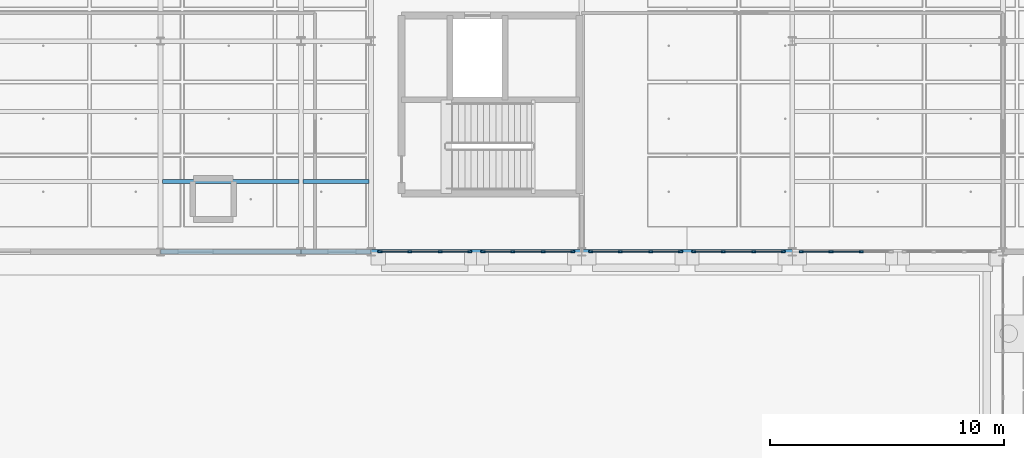
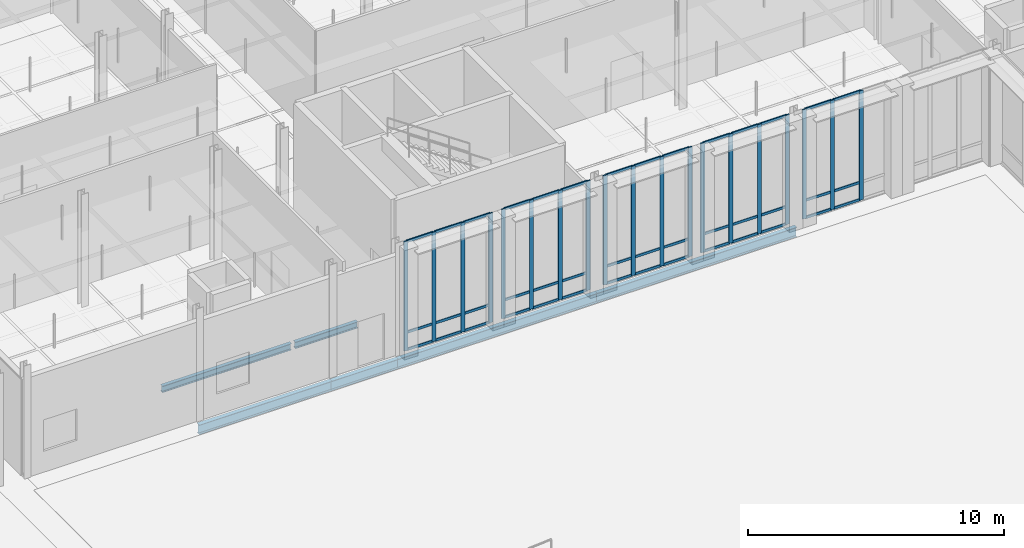
# One storey, part 54 of 180: 61 members, 6 beams, 5 elements without a shape of their own.
"""IFC4 building model written with IfcOpenShell, lengths in metres."""

import ifcopenshell
import ifcopenshell.guid

model = None  # the IFC model being written
_history = None  # IfcOwnerHistory: only IFC2X3 demands one
_inside = {}  # id of a spatial element -> (the spatial element, [elements in it])
_under = {}  # id of a project, library or spatial element -> (it, [spatial elements below it])
_declared = {}  # id of a project -> (the project, [libraries it declares])
_typed = {}  # id of a type object -> (the type object, [elements of that type])
_made_of = {}  # id of a material, layer set ... -> (it, [elements and type objects made of it])


def new_model(schema):
    """Start an empty IFC model of exactly this schema.

    Asked for "IFC4X3", IfcOpenShell would pick the latest addendum, in which some entities
    have other attributes; the version numbers below select the first issue.
    IFC2X3 requires an IfcOwnerHistory on every rooted entity: one is made here for all.
    """
    global model, _history
    if schema == "IFC4X3":
        model = ifcopenshell.file(schema_version=(4, 3, 0, 0))
    else:
        model = ifcopenshell.file(schema=schema)
    _inside.clear()
    _under.clear()
    _declared.clear()
    _typed.clear()
    _made_of.clear()
    _history = None
    if model.schema == "IFC2X3":
        org = make("IfcOrganization", Name="unknown")
        user = make(
            "IfcPersonAndOrganization",
            ThePerson=make("IfcPerson", FamilyName="unknown"),
            TheOrganization=org,
        )
        app = make(
            "IfcApplication",
            ApplicationDeveloper=org,
            Version="unknown",
            ApplicationFullName="unknown",
            ApplicationIdentifier="unknown",
        )
        _history = make(
            "IfcOwnerHistory",
            OwningUser=user,
            OwningApplication=app,
            ChangeAction="ADDED",
            CreationDate=0,
        )
    return model


def make(cls, **values):
    """One entity of the class cls with the attributes given. An attribute that is None is left unset."""
    return model.create_entity(
        cls, **{name: value for name, value in values.items() if value is not None}
    )


def rooted(cls, **values):
    """An entity with a GlobalId (a new one), such as an element, a storey or a relation."""
    return make(cls, GlobalId=ifcopenshell.guid.new(), OwnerHistory=_history, **values)


def si_unit(unit_type, name, prefix=None):
    """IfcSIUnit, for example si_unit("LENGTHUNIT", "METRE", prefix="MILLI")."""
    return make("IfcSIUnit", UnitType=unit_type, Prefix=prefix, Name=name)


def assignment(units):
    """IfcUnitAssignment: the units of a project."""
    return None if units is None else make("IfcUnitAssignment", Units=units)


def point(xyz):
    """IfcCartesianPoint."""
    return None if xyz is None else make("IfcCartesianPoint", Coordinates=xyz)


def direction(xyz):
    """IfcDirection."""
    return None if xyz is None else make("IfcDirection", DirectionRatios=xyz)


def frame(location, z_axis=None, x_axis=None):
    """IfcAxis2Placement3D, a coordinate frame: its origin and axes. An axis left out is left unset."""
    return make(
        "IfcAxis2Placement3D",
        Location=point(location),
        Axis=direction(z_axis),
        RefDirection=direction(x_axis),
    )


def frame_2d(location, x_axis=None):
    """IfcAxis2Placement2D, a coordinate frame in the plane: its origin and x axis."""
    return make(
        "IfcAxis2Placement2D", Location=point(location), RefDirection=direction(x_axis)
    )


def origin():
    """The frame at (0, 0, 0) with its axes left unset."""
    return frame((0.0, 0.0, 0.0))


def origin_2d():
    """The frame at (0, 0) in the plane with its x axis left unset."""
    return frame_2d((0.0, 0.0))


def place(relative_to, where):
    """IfcLocalPlacement: puts the frame where relative to a parent placement (None: the world)."""
    return make(
        "IfcLocalPlacement", PlacementRelTo=relative_to, RelativePlacement=where
    )


def context(
    kind, dimensions, precision=None, world=None, true_north=None, identifier=None
):
    """IfcGeometricRepresentationContext, for example the 3D "Model" context."""
    return make(
        "IfcGeometricRepresentationContext",
        ContextIdentifier=identifier,
        ContextType=kind,
        CoordinateSpaceDimension=dimensions,
        Precision=precision,
        WorldCoordinateSystem=world,
        TrueNorth=true_north,
    )


def subcontext(parent, identifier, kind, view, scale=None):
    """IfcGeometricRepresentationSubContext, for example "Body" below "Model"."""
    return make(
        "IfcGeometricRepresentationSubContext",
        ContextIdentifier=identifier,
        ContextType=kind,
        ParentContext=parent,
        TargetScale=scale,
        TargetView=view,
    )


def project(units=None, contexts=None):
    """IfcProject with its units and contexts."""
    return rooted(
        "IfcProject",
        Name="project",
        RepresentationContexts=contexts,
        UnitsInContext=assignment(units),
    )


def spatial(cls, under=None, at=None, **own):
    """A site, building, storey or space (cls), placed at a placement, below another one or the project."""
    s = rooted(cls, ObjectPlacement=at, **own)
    if under is not None:
        _under.setdefault(under.id(), (under, []))[1].append(s)
    return s


def profile(cls, at=None, kind="AREA", **sizes):
    """A parametric profile (cls). Its sizes go by their IFC names, for example OverallWidth=200.0."""
    return make(cls, ProfileType=kind, Position=at, **sizes)


def rectangle(**sizes):
    """IfcRectangleProfileDef."""
    return profile("IfcRectangleProfileDef", **sizes)


def i_section(**sizes):
    """IfcIShapeProfileDef."""
    return profile("IfcIShapeProfileDef", **sizes)


def extrude(swept, where, along, depth):
    """IfcExtrudedAreaSolid: the profile swept, set in the frame where, extruded along a direction by depth."""
    return make(
        "IfcExtrudedAreaSolid",
        SweptArea=swept,
        Position=where,
        ExtrudedDirection=direction(along),
        Depth=depth,
    )


def shape(context_of_items, identifier, shape_type, items):
    """IfcShapeRepresentation: the items that make up one representation, for example the "Body"."""
    return make(
        "IfcShapeRepresentation",
        ContextOfItems=context_of_items,
        RepresentationIdentifier=identifier,
        RepresentationType=shape_type,
        Items=items,
    )


def material(Name=None, Category=None):
    """IfcMaterial."""
    return make("IfcMaterial", Name=Name, Category=Category)


def material_profile(
    of_material, cross_section, Name=None, Category=None, Priority=None
):
    """IfcMaterialProfile: a cross section and its material."""
    return make(
        "IfcMaterialProfile",
        Name=Name,
        Material=of_material,
        Profile=cross_section,
        Priority=Priority,
        Category=Category,
    )


def profile_set(profiles, Name=None, composite=None):
    """IfcMaterialProfileSet."""
    return make(
        "IfcMaterialProfileSet",
        Name=Name,
        MaterialProfiles=profiles,
        CompositeProfile=composite,
    )


def made_of(thing, what):
    """Note that an element or type object is made of a material, layer set ...; save() writes the relation."""
    if what is not None:
        _made_of.setdefault(what.id(), (what, []))[1].append(thing)
    return thing


def type_object(cls, material=None, **own):
    """A type object (cls), such as IfcWallType, which elements share."""
    return made_of(rooted(cls, **own), material)


def element(
    cls,
    number,
    at=None,
    inside=None,
    cuts=None,
    type_object=None,
    material=None,
    context=None,
    identifier="Body",
    shape_type=None,
    held_by="IfcProductDefinitionShape",
    body=None,
    shapes=None,
    **own,
):
    """One element of the class cls, such as IfcWall. Its Tag is "e" and its number.

    at: its placement. inside: the storey or other place that contains it. cuts: it is an
    opening in that element (IfcRelVoidsElement). A single representation is given by context,
    identifier, shape_type and body (its items); several are given by shapes. held_by: the class
    of the entity that holds the representations. save() writes the other relations.
    """
    e = rooted(cls, Tag="e%d" % number, ObjectPlacement=at, **own)
    if body is not None:
        shapes = [shape(context, identifier, shape_type, body)]
    if shapes is not None:
        e.Representation = make(held_by, Representations=shapes)
    if inside is not None:
        _inside.setdefault(inside.id(), (inside, []))[1].append(e)
    if cuts is not None:
        rooted(
            "IfcRelVoidsElement", RelatingBuildingElement=cuts, RelatedOpeningElement=e
        )
    if type_object is not None:
        _typed.setdefault(type_object.id(), (type_object, []))[1].append(e)
    return made_of(e, material)


def aggregate(whole, parts):
    """IfcRelAggregates: a whole, such as a stair, and the parts it consists of."""
    return rooted("IfcRelAggregates", RelatingObject=whole, RelatedObjects=parts)


def save(model, path):
    """Write the relations noted so far, then the file.

    IfcRelAggregates (storeys below a building ...), IfcRelContainedInSpatialStructure (elements
    in a storey), IfcRelDefinesByType, IfcRelAssociatesMaterial and IfcRelDeclares: one each for
    every whole, place, type object, material and project.
    """
    for whole, parts in _under.values():
        aggregate(whole, parts)
    for where, things in _inside.values():
        rooted(
            "IfcRelContainedInSpatialStructure",
            RelatedElements=things,
            RelatingStructure=where,
        )
    for kind, things in _typed.values():
        rooted("IfcRelDefinesByType", RelatedObjects=things, RelatingType=kind)
    for what, things in _made_of.values():
        rooted("IfcRelAssociatesMaterial", RelatedObjects=things, RelatingMaterial=what)
    for by, libraries in _declared.values():
        rooted("IfcRelDeclares", RelatingContext=by, RelatedDefinitions=libraries)
    model.write(path)


model = new_model("IFC4")

# Units and contexts
model_context = context("Model", 3, precision=1e-05, world=origin(), true_north=direction((0.0, 1.0)))
body_context = subcontext(model_context, "Body", "Model", "MODEL_VIEW")
ifc_project = project(units=[si_unit("LENGTHUNIT", "METRE"), si_unit("AREAUNIT", "SQUARE_METRE"), si_unit("VOLUMEUNIT", "CUBIC_METRE"), si_unit("PLANEANGLEUNIT", "RADIAN"), si_unit("MASSUNIT", "GRAM", prefix="KILO"), si_unit("THERMODYNAMICTEMPERATUREUNIT", "KELVIN"), si_unit("POWERUNIT", "WATT")], contexts=[model_context])

# Site, building, storey
site_placement = place(None, origin())
site = spatial("IfcSite", under=ifc_project, at=site_placement, CompositionType="ELEMENT")
building_placement = place(site_placement, origin())
building = spatial("IfcBuilding", under=site, at=building_placement, Name="Tallowbark Science Centre", CompositionType="ELEMENT")
storey_placement = place(building_placement, origin())
storey = spatial("IfcBuildingStorey", under=building, at=storey_placement, Name="L00", CompositionType="ELEMENT", Elevation=0.0)

# Curtain wall, members
ifc_material_1 = material(Name="Unitised Thermally Broken Aluminium and Low-E Double Glazing", Category="aluminium")
curtain_wall_type = type_object("IfcCurtainWallType", Name="CW-SYS-FACADE", PredefinedType="NOTDEFINED", material=ifc_material_1)
curtain_wall_1_placement = place(storey_placement, origin())
curtain_wall_1 = element("IfcCurtainWall", 1, at=curtain_wall_1_placement, inside=storey, type_object=curtain_wall_type, Name="Unitised Curtain Wall LAB-S-72A CW-L00-022", PredefinedType="NOTDEFINED")
ifc_material_2 = material(Name="Anodised Architectural Aluminium Alloy 6063-T6", Category="aluminium")
ifc_material_profile_1 = material_profile(ifc_material_2, rectangle(XDim=0.06494140625, YDim=0.179931640625, at=origin_2d()), Name="ALU65x180")
ifc_profile_set_1 = profile_set([ifc_material_profile_1], Name="Anodised Architectural Aluminium Alloy 6063-T6")
member_type_1 = type_object("IfcMemberType", Name="CWM-MUL-220", PredefinedType="MULLION", material=ifc_profile_set_1)
member_1_placement = place(storey_placement, frame((72.382568359375, 72.0, 0.0), z_axis=(0.0, 0.0, 1.0), x_axis=(0.0, 1.0, 0.0)))
member_1 = element("IfcMember", 2, at=member_1_placement, type_object=member_type_1, Name="CW-01 mullion 1", PredefinedType="MULLION", context=body_context, shape_type="SweptSolid", body=[
    extrude(rectangle(XDim=0.06494140625, YDim=0.179931640625, at=origin_2d()), origin(), (0.0, 0.0, 1.0), 5.219970703125),
])
member_2_placement = place(storey_placement, frame((73.64990234375, 72.0, 0.0), z_axis=(0.0, 0.0, 1.0), x_axis=(0.0, 1.0, 0.0)))
member_2 = element("IfcMember", 3, at=member_2_placement, type_object=member_type_1, Name="CW-01 mullion 2", PredefinedType="MULLION", context=body_context, shape_type="SweptSolid", body=[
    extrude(rectangle(XDim=0.06494140625, YDim=0.179931640625, at=origin_2d()), origin(), (0.0, 0.0, 1.0), 5.219970703125),
])
member_3_placement = place(storey_placement, frame((74.949951171875, 72.0, 0.0), z_axis=(0.0, 0.0, 1.0), x_axis=(0.0, 1.0, 0.0)))
member_3 = element("IfcMember", 4, at=member_3_placement, type_object=member_type_1, Name="CW-01 mullion 3", PredefinedType="MULLION", context=body_context, shape_type="SweptSolid", body=[
    extrude(rectangle(XDim=0.06494140625, YDim=0.179931640625, at=origin_2d()), origin(), (0.0, 0.0, 1.0), 5.219970703125),
])
member_4_placement = place(storey_placement, frame((76.217529296875, 72.0, 0.0), z_axis=(0.0, 0.0, 1.0), x_axis=(0.0, 1.0, 0.0)))
member_4 = element("IfcMember", 5, at=member_4_placement, type_object=member_type_1, Name="CW-01 mullion 4", PredefinedType="MULLION", context=body_context, shape_type="SweptSolid", body=[
    extrude(rectangle(XDim=0.06494140625, YDim=0.179931640625, at=origin_2d()), origin(), (0.0, 0.0, 1.0), 5.219970703125),
])

curtain_wall_2_placement = place(storey_placement, origin())
curtain_wall_2 = element("IfcCurtainWall", 6, at=curtain_wall_2_placement, inside=storey, type_object=curtain_wall_type, Name="Unitised Curtain Wall LAB-S-72B CW-L00-023", PredefinedType="NOTDEFINED")
member_5_placement = place(storey_placement, frame((76.782470703125, 72.0, 0.0), z_axis=(0.0, 0.0, 1.0), x_axis=(0.0, 1.0, 0.0)))
member_5 = element("IfcMember", 7, at=member_5_placement, type_object=member_type_1, Name="CW-01 mullion 1", PredefinedType="MULLION", context=body_context, shape_type="SweptSolid", body=[
    extrude(rectangle(XDim=0.06494140625, YDim=0.179931640625, at=origin_2d()), origin(), (0.0, 0.0, 1.0), 5.219970703125),
])
member_6_placement = place(storey_placement, frame((78.050048828125, 72.0, 0.0), z_axis=(0.0, 0.0, 1.0), x_axis=(0.0, 1.0, 0.0)))
member_6 = element("IfcMember", 8, at=member_6_placement, type_object=member_type_1, Name="CW-01 mullion 2", PredefinedType="MULLION", context=body_context, shape_type="SweptSolid", body=[
    extrude(rectangle(XDim=0.06494140625, YDim=0.179931640625, at=origin_2d()), origin(), (0.0, 0.0, 1.0), 5.219970703125),
])
member_7_placement = place(storey_placement, frame((79.35009765625, 72.0, 0.0), z_axis=(0.0, 0.0, 1.0), x_axis=(0.0, 1.0, 0.0)))
member_7 = element("IfcMember", 9, at=member_7_placement, type_object=member_type_1, Name="CW-01 mullion 3", PredefinedType="MULLION", context=body_context, shape_type="SweptSolid", body=[
    extrude(rectangle(XDim=0.06494140625, YDim=0.179931640625, at=origin_2d()), origin(), (0.0, 0.0, 1.0), 5.219970703125),
])
member_8_placement = place(storey_placement, frame((80.617431640625, 72.0, 0.0), z_axis=(0.0, 0.0, 1.0), x_axis=(0.0, 1.0, 0.0)))
member_8 = element("IfcMember", 10, at=member_8_placement, type_object=member_type_1, Name="CW-01 mullion 4", PredefinedType="MULLION", context=body_context, shape_type="SweptSolid", body=[
    extrude(rectangle(XDim=0.06494140625, YDim=0.179931640625, at=origin_2d()), origin(), (0.0, 0.0, 1.0), 5.219970703125),
])

curtain_wall_3_placement = place(storey_placement, origin())
curtain_wall_3 = element("IfcCurtainWall", 11, at=curtain_wall_3_placement, inside=storey, type_object=curtain_wall_type, Name="Unitised Curtain Wall LAB-S-81A CW-L00-024", PredefinedType="NOTDEFINED")
member_9_placement = place(storey_placement, frame((81.382568359375, 72.0, 0.0), z_axis=(0.0, 0.0, 1.0), x_axis=(0.0, 1.0, 0.0)))
member_9 = element("IfcMember", 12, at=member_9_placement, type_object=member_type_1, Name="CW-01 mullion 1", PredefinedType="MULLION", context=body_context, shape_type="SweptSolid", body=[
    extrude(rectangle(XDim=0.06494140625, YDim=0.179931640625, at=origin_2d()), origin(), (0.0, 0.0, 1.0), 5.219970703125),
])
member_10_placement = place(storey_placement, frame((82.64990234375, 72.0, 0.0), z_axis=(0.0, 0.0, 1.0), x_axis=(0.0, 1.0, 0.0)))
member_10 = element("IfcMember", 13, at=member_10_placement, type_object=member_type_1, Name="CW-01 mullion 2", PredefinedType="MULLION", context=body_context, shape_type="SweptSolid", body=[
    extrude(rectangle(XDim=0.06494140625, YDim=0.179931640625, at=origin_2d()), origin(), (0.0, 0.0, 1.0), 5.219970703125),
])
member_11_placement = place(storey_placement, frame((83.949951171875, 72.0, 0.0), z_axis=(0.0, 0.0, 1.0), x_axis=(0.0, 1.0, 0.0)))
member_11 = element("IfcMember", 14, at=member_11_placement, type_object=member_type_1, Name="CW-01 mullion 3", PredefinedType="MULLION", context=body_context, shape_type="SweptSolid", body=[
    extrude(rectangle(XDim=0.06494140625, YDim=0.179931640625, at=origin_2d()), origin(), (0.0, 0.0, 1.0), 5.219970703125),
])
member_12_placement = place(storey_placement, frame((85.217529296875, 72.0, 0.0), z_axis=(0.0, 0.0, 1.0), x_axis=(0.0, 1.0, 0.0)))
member_12 = element("IfcMember", 15, at=member_12_placement, type_object=member_type_1, Name="CW-01 mullion 4", PredefinedType="MULLION", context=body_context, shape_type="SweptSolid", body=[
    extrude(rectangle(XDim=0.06494140625, YDim=0.179931640625, at=origin_2d()), origin(), (0.0, 0.0, 1.0), 5.219970703125),
])

curtain_wall_4_placement = place(storey_placement, origin())
curtain_wall_4 = element("IfcCurtainWall", 16, at=curtain_wall_4_placement, inside=storey, type_object=curtain_wall_type, Name="Unitised Curtain Wall LAB-S-81B CW-L00-025", PredefinedType="NOTDEFINED")
member_13_placement = place(storey_placement, frame((85.782470703125, 72.0, 0.0), z_axis=(0.0, 0.0, 1.0), x_axis=(0.0, 1.0, 0.0)))
member_13 = element("IfcMember", 17, at=member_13_placement, type_object=member_type_1, Name="CW-01 mullion 1", PredefinedType="MULLION", context=body_context, shape_type="SweptSolid", body=[
    extrude(rectangle(XDim=0.06494140625, YDim=0.179931640625, at=origin_2d()), origin(), (0.0, 0.0, 1.0), 5.219970703125),
])
member_14_placement = place(storey_placement, frame((87.050048828125, 72.0, 0.0), z_axis=(0.0, 0.0, 1.0), x_axis=(0.0, 1.0, 0.0)))
member_14 = element("IfcMember", 18, at=member_14_placement, type_object=member_type_1, Name="CW-01 mullion 2", PredefinedType="MULLION", context=body_context, shape_type="SweptSolid", body=[
    extrude(rectangle(XDim=0.06494140625, YDim=0.179931640625, at=origin_2d()), origin(), (0.0, 0.0, 1.0), 5.219970703125),
])
member_15_placement = place(storey_placement, frame((88.35009765625, 72.0, 0.0), z_axis=(0.0, 0.0, 1.0), x_axis=(0.0, 1.0, 0.0)))
member_15 = element("IfcMember", 19, at=member_15_placement, type_object=member_type_1, Name="CW-01 mullion 3", PredefinedType="MULLION", context=body_context, shape_type="SweptSolid", body=[
    extrude(rectangle(XDim=0.06494140625, YDim=0.179931640625, at=origin_2d()), origin(), (0.0, 0.0, 1.0), 5.219970703125),
])
member_16_placement = place(storey_placement, frame((89.617431640625, 72.0, 0.0), z_axis=(0.0, 0.0, 1.0), x_axis=(0.0, 1.0, 0.0)))
member_16 = element("IfcMember", 20, at=member_16_placement, type_object=member_type_1, Name="CW-01 mullion 4", PredefinedType="MULLION", context=body_context, shape_type="SweptSolid", body=[
    extrude(rectangle(XDim=0.06494140625, YDim=0.179931640625, at=origin_2d()), origin(), (0.0, 0.0, 1.0), 5.219970703125),
])

curtain_wall_5_placement = place(storey_placement, origin())
curtain_wall_5 = element("IfcCurtainWall", 21, at=curtain_wall_5_placement, inside=storey, type_object=curtain_wall_type, Name="Unitised Curtain Wall LAB-S-90A CW-L00-026", PredefinedType="NOTDEFINED")
member_17_placement = place(storey_placement, frame((90.382568359375, 72.0, 0.0), z_axis=(0.0, 0.0, 1.0), x_axis=(0.0, 1.0, 0.0)))
member_17 = element("IfcMember", 22, at=member_17_placement, type_object=member_type_1, Name="CW-01 mullion 1", PredefinedType="MULLION", context=body_context, shape_type="SweptSolid", body=[
    extrude(rectangle(XDim=0.06494140625, YDim=0.179931640625, at=origin_2d()), origin(), (0.0, 0.0, 1.0), 5.219970703125),
])
member_18_placement = place(storey_placement, frame((91.64990234375, 72.0, 0.0), z_axis=(0.0, 0.0, 1.0), x_axis=(0.0, 1.0, 0.0)))
member_18 = element("IfcMember", 23, at=member_18_placement, type_object=member_type_1, Name="CW-01 mullion 2", PredefinedType="MULLION", context=body_context, shape_type="SweptSolid", body=[
    extrude(rectangle(XDim=0.06494140625, YDim=0.179931640625, at=origin_2d()), origin(), (0.0, 0.0, 1.0), 5.219970703125),
])
member_19_placement = place(storey_placement, frame((92.949951171875, 72.0, 0.0), z_axis=(0.0, 0.0, 1.0), x_axis=(0.0, 1.0, 0.0)))
member_19 = element("IfcMember", 24, at=member_19_placement, type_object=member_type_1, Name="CW-01 mullion 3", PredefinedType="MULLION", context=body_context, shape_type="SweptSolid", body=[
    extrude(rectangle(XDim=0.06494140625, YDim=0.179931640625, at=origin_2d()), origin(), (0.0, 0.0, 1.0), 5.219970703125),
])

# Member
ifc_material_profile_2 = material_profile(ifc_material_2, rectangle(XDim=0.054931640625, YDim=0.1201171875, at=origin_2d()), Name="ALU55x120")
ifc_profile_set_2 = profile_set([ifc_material_profile_2], Name="Anodised Architectural Aluminium Alloy 6063-T6")
member_type_2 = type_object("IfcMemberType", Name="CWM-TRN-150", PredefinedType="USERDEFINED", material=ifc_profile_set_2)
member_20_placement = place(storey_placement, frame((72.4150390625, 72.0, 0.027587890625), z_axis=(1.0, 0.0, 0.0), x_axis=(0.0, 1.0, 0.0)))
member_20 = element("IfcMember", 25, at=member_20_placement, type_object=member_type_2, Name="CW-01 transom 1.1", ObjectType="TRANSOM", PredefinedType="USERDEFINED", context=body_context, shape_type="SweptSolid", body=[
    extrude(rectangle(XDim=0.054931640625, YDim=0.1201171875, at=origin_2d()), origin(), (0.0, 0.0, 1.0), 1.202392578125),
])

member_21_placement = place(storey_placement, frame((72.4150390625, 72.0, 0.85009765625), z_axis=(1.0, 0.0, 0.0), x_axis=(0.0, 1.0, 0.0)))
member_21 = element("IfcMember", 26, at=member_21_placement, type_object=member_type_2, Name="CW-01 transom 1.2", ObjectType="TRANSOM", PredefinedType="USERDEFINED", context=body_context, shape_type="SweptSolid", body=[
    extrude(rectangle(XDim=0.054931640625, YDim=0.1201171875, at=origin_2d()), origin(), (0.0, 0.0, 1.0), 1.202392578125),
])

member_22_placement = place(storey_placement, frame((72.4150390625, 72.0, 5.1923828125), z_axis=(1.0, 0.0, 0.0), x_axis=(0.0, 1.0, 0.0)))
member_22 = element("IfcMember", 27, at=member_22_placement, type_object=member_type_2, Name="CW-01 transom 1.3", ObjectType="TRANSOM", PredefinedType="USERDEFINED", context=body_context, shape_type="SweptSolid", body=[
    extrude(rectangle(XDim=0.054931640625, YDim=0.1201171875, at=origin_2d()), origin(), (0.0, 0.0, 1.0), 1.202392578125),
])

member_23_placement = place(storey_placement, frame((73.6826171875, 72.0, 0.027587890625), z_axis=(1.0, 0.0, 0.0), x_axis=(0.0, 1.0, 0.0)))
member_23 = element("IfcMember", 28, at=member_23_placement, type_object=member_type_2, Name="CW-01 transom 2.1", ObjectType="TRANSOM", PredefinedType="USERDEFINED", context=body_context, shape_type="SweptSolid", body=[
    extrude(rectangle(XDim=0.054931640625, YDim=0.1201171875, at=origin_2d()), origin(), (0.0, 0.0, 1.0), 1.23486328125),
])

member_24_placement = place(storey_placement, frame((73.6826171875, 72.0, 0.85009765625), z_axis=(1.0, 0.0, 0.0), x_axis=(0.0, 1.0, 0.0)))
member_24 = element("IfcMember", 29, at=member_24_placement, type_object=member_type_2, Name="CW-01 transom 2.2", ObjectType="TRANSOM", PredefinedType="USERDEFINED", context=body_context, shape_type="SweptSolid", body=[
    extrude(rectangle(XDim=0.054931640625, YDim=0.1201171875, at=origin_2d()), origin(), (0.0, 0.0, 1.0), 1.23486328125),
])

member_25_placement = place(storey_placement, frame((73.6826171875, 72.0, 5.1923828125), z_axis=(1.0, 0.0, 0.0), x_axis=(0.0, 1.0, 0.0)))
member_25 = element("IfcMember", 30, at=member_25_placement, type_object=member_type_2, Name="CW-01 transom 2.3", ObjectType="TRANSOM", PredefinedType="USERDEFINED", context=body_context, shape_type="SweptSolid", body=[
    extrude(rectangle(XDim=0.054931640625, YDim=0.1201171875, at=origin_2d()), origin(), (0.0, 0.0, 1.0), 1.23486328125),
])

member_26_placement = place(storey_placement, frame((74.982421875, 72.0, 0.027587890625), z_axis=(1.0, 0.0, 0.0), x_axis=(0.0, 1.0, 0.0)))
member_26 = element("IfcMember", 31, at=member_26_placement, type_object=member_type_2, Name="CW-01 transom 3.1", ObjectType="TRANSOM", PredefinedType="USERDEFINED", context=body_context, shape_type="SweptSolid", body=[
    extrude(rectangle(XDim=0.054931640625, YDim=0.1201171875, at=origin_2d()), origin(), (0.0, 0.0, 1.0), 1.20263671875),
])

member_27_placement = place(storey_placement, frame((74.982421875, 72.0, 0.85009765625), z_axis=(1.0, 0.0, 0.0), x_axis=(0.0, 1.0, 0.0)))
member_27 = element("IfcMember", 32, at=member_27_placement, type_object=member_type_2, Name="CW-01 transom 3.2", ObjectType="TRANSOM", PredefinedType="USERDEFINED", context=body_context, shape_type="SweptSolid", body=[
    extrude(rectangle(XDim=0.054931640625, YDim=0.1201171875, at=origin_2d()), origin(), (0.0, 0.0, 1.0), 1.20263671875),
])

member_28_placement = place(storey_placement, frame((74.982421875, 72.0, 5.1923828125), z_axis=(1.0, 0.0, 0.0), x_axis=(0.0, 1.0, 0.0)))
member_28 = element("IfcMember", 33, at=member_28_placement, type_object=member_type_2, Name="CW-01 transom 3.3", ObjectType="TRANSOM", PredefinedType="USERDEFINED", context=body_context, shape_type="SweptSolid", body=[
    extrude(rectangle(XDim=0.054931640625, YDim=0.1201171875, at=origin_2d()), origin(), (0.0, 0.0, 1.0), 1.20263671875),
])

aggregate(curtain_wall_1, [member_1, member_2, member_3, member_4, member_20, member_21, member_22, member_23, member_24, member_25, member_26, member_27, member_28])

member_29_placement = place(storey_placement, frame((76.81494140625, 72.0, 0.027587890625), z_axis=(1.0, 0.0, 0.0), x_axis=(0.0, 1.0, 0.0)))
member_29 = element("IfcMember", 34, at=member_29_placement, type_object=member_type_2, Name="CW-01 transom 1.1", ObjectType="TRANSOM", PredefinedType="USERDEFINED", context=body_context, shape_type="SweptSolid", body=[
    extrude(rectangle(XDim=0.054931640625, YDim=0.1201171875, at=origin_2d()), origin(), (0.0, 0.0, 1.0), 1.20263671875),
])

member_30_placement = place(storey_placement, frame((76.81494140625, 72.0, 0.85009765625), z_axis=(1.0, 0.0, 0.0), x_axis=(0.0, 1.0, 0.0)))
member_30 = element("IfcMember", 35, at=member_30_placement, type_object=member_type_2, Name="CW-01 transom 1.2", ObjectType="TRANSOM", PredefinedType="USERDEFINED", context=body_context, shape_type="SweptSolid", body=[
    extrude(rectangle(XDim=0.054931640625, YDim=0.1201171875, at=origin_2d()), origin(), (0.0, 0.0, 1.0), 1.20263671875),
])

member_31_placement = place(storey_placement, frame((76.81494140625, 72.0, 5.1923828125), z_axis=(1.0, 0.0, 0.0), x_axis=(0.0, 1.0, 0.0)))
member_31 = element("IfcMember", 36, at=member_31_placement, type_object=member_type_2, Name="CW-01 transom 1.3", ObjectType="TRANSOM", PredefinedType="USERDEFINED", context=body_context, shape_type="SweptSolid", body=[
    extrude(rectangle(XDim=0.054931640625, YDim=0.1201171875, at=origin_2d()), origin(), (0.0, 0.0, 1.0), 1.20263671875),
])

member_32_placement = place(storey_placement, frame((78.08251953125, 72.0, 0.027587890625), z_axis=(1.0, 0.0, 0.0), x_axis=(0.0, 1.0, 0.0)))
member_32 = element("IfcMember", 37, at=member_32_placement, type_object=member_type_2, Name="CW-01 transom 2.1", ObjectType="TRANSOM", PredefinedType="USERDEFINED", context=body_context, shape_type="SweptSolid", body=[
    extrude(rectangle(XDim=0.054931640625, YDim=0.1201171875, at=origin_2d()), origin(), (0.0, 0.0, 1.0), 1.23486328125),
])

member_33_placement = place(storey_placement, frame((78.08251953125, 72.0, 0.85009765625), z_axis=(1.0, 0.0, 0.0), x_axis=(0.0, 1.0, 0.0)))
member_33 = element("IfcMember", 38, at=member_33_placement, type_object=member_type_2, Name="CW-01 transom 2.2", ObjectType="TRANSOM", PredefinedType="USERDEFINED", context=body_context, shape_type="SweptSolid", body=[
    extrude(rectangle(XDim=0.054931640625, YDim=0.1201171875, at=origin_2d()), origin(), (0.0, 0.0, 1.0), 1.23486328125),
])

member_34_placement = place(storey_placement, frame((78.08251953125, 72.0, 5.1923828125), z_axis=(1.0, 0.0, 0.0), x_axis=(0.0, 1.0, 0.0)))
member_34 = element("IfcMember", 39, at=member_34_placement, type_object=member_type_2, Name="CW-01 transom 2.3", ObjectType="TRANSOM", PredefinedType="USERDEFINED", context=body_context, shape_type="SweptSolid", body=[
    extrude(rectangle(XDim=0.054931640625, YDim=0.1201171875, at=origin_2d()), origin(), (0.0, 0.0, 1.0), 1.23486328125),
])

member_35_placement = place(storey_placement, frame((79.382568359375, 72.0, 0.027587890625), z_axis=(1.0, 0.0, 0.0), x_axis=(0.0, 1.0, 0.0)))
member_35 = element("IfcMember", 40, at=member_35_placement, type_object=member_type_2, Name="CW-01 transom 3.1", ObjectType="TRANSOM", PredefinedType="USERDEFINED", context=body_context, shape_type="SweptSolid", body=[
    extrude(rectangle(XDim=0.054931640625, YDim=0.1201171875, at=origin_2d()), origin(), (0.0, 0.0, 1.0), 1.202392578125),
])

member_36_placement = place(storey_placement, frame((79.382568359375, 72.0, 0.85009765625), z_axis=(1.0, 0.0, 0.0), x_axis=(0.0, 1.0, 0.0)))
member_36 = element("IfcMember", 41, at=member_36_placement, type_object=member_type_2, Name="CW-01 transom 3.2", ObjectType="TRANSOM", PredefinedType="USERDEFINED", context=body_context, shape_type="SweptSolid", body=[
    extrude(rectangle(XDim=0.054931640625, YDim=0.1201171875, at=origin_2d()), origin(), (0.0, 0.0, 1.0), 1.202392578125),
])

member_37_placement = place(storey_placement, frame((79.382568359375, 72.0, 5.1923828125), z_axis=(1.0, 0.0, 0.0), x_axis=(0.0, 1.0, 0.0)))
member_37 = element("IfcMember", 42, at=member_37_placement, type_object=member_type_2, Name="CW-01 transom 3.3", ObjectType="TRANSOM", PredefinedType="USERDEFINED", context=body_context, shape_type="SweptSolid", body=[
    extrude(rectangle(XDim=0.054931640625, YDim=0.1201171875, at=origin_2d()), origin(), (0.0, 0.0, 1.0), 1.202392578125),
])

aggregate(curtain_wall_2, [member_5, member_6, member_7, member_8, member_29, member_30, member_31, member_32, member_33, member_34, member_35, member_36, member_37])

member_38_placement = place(storey_placement, frame((81.4150390625, 72.0, 0.027587890625), z_axis=(1.0, 0.0, 0.0), x_axis=(0.0, 1.0, 0.0)))
member_38 = element("IfcMember", 43, at=member_38_placement, type_object=member_type_2, Name="CW-01 transom 1.1", ObjectType="TRANSOM", PredefinedType="USERDEFINED", context=body_context, shape_type="SweptSolid", body=[
    extrude(rectangle(XDim=0.054931640625, YDim=0.1201171875, at=origin_2d()), origin(), (0.0, 0.0, 1.0), 1.202392578125),
])

member_39_placement = place(storey_placement, frame((81.4150390625, 72.0, 0.85009765625), z_axis=(1.0, 0.0, 0.0), x_axis=(0.0, 1.0, 0.0)))
member_39 = element("IfcMember", 44, at=member_39_placement, type_object=member_type_2, Name="CW-01 transom 1.2", ObjectType="TRANSOM", PredefinedType="USERDEFINED", context=body_context, shape_type="SweptSolid", body=[
    extrude(rectangle(XDim=0.054931640625, YDim=0.1201171875, at=origin_2d()), origin(), (0.0, 0.0, 1.0), 1.202392578125),
])

member_40_placement = place(storey_placement, frame((81.4150390625, 72.0, 5.1923828125), z_axis=(1.0, 0.0, 0.0), x_axis=(0.0, 1.0, 0.0)))
member_40 = element("IfcMember", 45, at=member_40_placement, type_object=member_type_2, Name="CW-01 transom 1.3", ObjectType="TRANSOM", PredefinedType="USERDEFINED", context=body_context, shape_type="SweptSolid", body=[
    extrude(rectangle(XDim=0.054931640625, YDim=0.1201171875, at=origin_2d()), origin(), (0.0, 0.0, 1.0), 1.202392578125),
])

member_41_placement = place(storey_placement, frame((82.6826171875, 72.0, 0.027587890625), z_axis=(1.0, 0.0, 0.0), x_axis=(0.0, 1.0, 0.0)))
member_41 = element("IfcMember", 46, at=member_41_placement, type_object=member_type_2, Name="CW-01 transom 2.1", ObjectType="TRANSOM", PredefinedType="USERDEFINED", context=body_context, shape_type="SweptSolid", body=[
    extrude(rectangle(XDim=0.054931640625, YDim=0.1201171875, at=origin_2d()), origin(), (0.0, 0.0, 1.0), 1.23486328125),
])

member_42_placement = place(storey_placement, frame((82.6826171875, 72.0, 0.85009765625), z_axis=(1.0, 0.0, 0.0), x_axis=(0.0, 1.0, 0.0)))
member_42 = element("IfcMember", 47, at=member_42_placement, type_object=member_type_2, Name="CW-01 transom 2.2", ObjectType="TRANSOM", PredefinedType="USERDEFINED", context=body_context, shape_type="SweptSolid", body=[
    extrude(rectangle(XDim=0.054931640625, YDim=0.1201171875, at=origin_2d()), origin(), (0.0, 0.0, 1.0), 1.23486328125),
])

member_43_placement = place(storey_placement, frame((82.6826171875, 72.0, 5.1923828125), z_axis=(1.0, 0.0, 0.0), x_axis=(0.0, 1.0, 0.0)))
member_43 = element("IfcMember", 48, at=member_43_placement, type_object=member_type_2, Name="CW-01 transom 2.3", ObjectType="TRANSOM", PredefinedType="USERDEFINED", context=body_context, shape_type="SweptSolid", body=[
    extrude(rectangle(XDim=0.054931640625, YDim=0.1201171875, at=origin_2d()), origin(), (0.0, 0.0, 1.0), 1.23486328125),
])

member_44_placement = place(storey_placement, frame((83.982421875, 72.0, 0.027587890625), z_axis=(1.0, 0.0, 0.0), x_axis=(0.0, 1.0, 0.0)))
member_44 = element("IfcMember", 49, at=member_44_placement, type_object=member_type_2, Name="CW-01 transom 3.1", ObjectType="TRANSOM", PredefinedType="USERDEFINED", context=body_context, shape_type="SweptSolid", body=[
    extrude(rectangle(XDim=0.054931640625, YDim=0.1201171875, at=origin_2d()), origin(), (0.0, 0.0, 1.0), 1.20263671875),
])

member_45_placement = place(storey_placement, frame((83.982421875, 72.0, 0.85009765625), z_axis=(1.0, 0.0, 0.0), x_axis=(0.0, 1.0, 0.0)))
member_45 = element("IfcMember", 50, at=member_45_placement, type_object=member_type_2, Name="CW-01 transom 3.2", ObjectType="TRANSOM", PredefinedType="USERDEFINED", context=body_context, shape_type="SweptSolid", body=[
    extrude(rectangle(XDim=0.054931640625, YDim=0.1201171875, at=origin_2d()), origin(), (0.0, 0.0, 1.0), 1.20263671875),
])

member_46_placement = place(storey_placement, frame((83.982421875, 72.0, 5.1923828125), z_axis=(1.0, 0.0, 0.0), x_axis=(0.0, 1.0, 0.0)))
member_46 = element("IfcMember", 51, at=member_46_placement, type_object=member_type_2, Name="CW-01 transom 3.3", ObjectType="TRANSOM", PredefinedType="USERDEFINED", context=body_context, shape_type="SweptSolid", body=[
    extrude(rectangle(XDim=0.054931640625, YDim=0.1201171875, at=origin_2d()), origin(), (0.0, 0.0, 1.0), 1.20263671875),
])

aggregate(curtain_wall_3, [member_9, member_10, member_11, member_12, member_38, member_39, member_40, member_41, member_42, member_43, member_44, member_45, member_46])

member_47_placement = place(storey_placement, frame((85.81494140625, 72.0, 0.027587890625), z_axis=(1.0, 0.0, 0.0), x_axis=(0.0, 1.0, 0.0)))
member_47 = element("IfcMember", 52, at=member_47_placement, type_object=member_type_2, Name="CW-01 transom 1.1", ObjectType="TRANSOM", PredefinedType="USERDEFINED", context=body_context, shape_type="SweptSolid", body=[
    extrude(rectangle(XDim=0.054931640625, YDim=0.1201171875, at=origin_2d()), origin(), (0.0, 0.0, 1.0), 1.20263671875),
])

member_48_placement = place(storey_placement, frame((85.81494140625, 72.0, 0.85009765625), z_axis=(1.0, 0.0, 0.0), x_axis=(0.0, 1.0, 0.0)))
member_48 = element("IfcMember", 53, at=member_48_placement, type_object=member_type_2, Name="CW-01 transom 1.2", ObjectType="TRANSOM", PredefinedType="USERDEFINED", context=body_context, shape_type="SweptSolid", body=[
    extrude(rectangle(XDim=0.054931640625, YDim=0.1201171875, at=origin_2d()), origin(), (0.0, 0.0, 1.0), 1.20263671875),
])

member_49_placement = place(storey_placement, frame((85.81494140625, 72.0, 5.1923828125), z_axis=(1.0, 0.0, 0.0), x_axis=(0.0, 1.0, 0.0)))
member_49 = element("IfcMember", 54, at=member_49_placement, type_object=member_type_2, Name="CW-01 transom 1.3", ObjectType="TRANSOM", PredefinedType="USERDEFINED", context=body_context, shape_type="SweptSolid", body=[
    extrude(rectangle(XDim=0.054931640625, YDim=0.1201171875, at=origin_2d()), origin(), (0.0, 0.0, 1.0), 1.20263671875),
])

member_50_placement = place(storey_placement, frame((87.08251953125, 72.0, 0.027587890625), z_axis=(1.0, 0.0, 0.0), x_axis=(0.0, 1.0, 0.0)))
member_50 = element("IfcMember", 55, at=member_50_placement, type_object=member_type_2, Name="CW-01 transom 2.1", ObjectType="TRANSOM", PredefinedType="USERDEFINED", context=body_context, shape_type="SweptSolid", body=[
    extrude(rectangle(XDim=0.054931640625, YDim=0.1201171875, at=origin_2d()), origin(), (0.0, 0.0, 1.0), 1.23486328125),
])

member_51_placement = place(storey_placement, frame((87.08251953125, 72.0, 0.85009765625), z_axis=(1.0, 0.0, 0.0), x_axis=(0.0, 1.0, 0.0)))
member_51 = element("IfcMember", 56, at=member_51_placement, type_object=member_type_2, Name="CW-01 transom 2.2", ObjectType="TRANSOM", PredefinedType="USERDEFINED", context=body_context, shape_type="SweptSolid", body=[
    extrude(rectangle(XDim=0.054931640625, YDim=0.1201171875, at=origin_2d()), origin(), (0.0, 0.0, 1.0), 1.23486328125),
])

member_52_placement = place(storey_placement, frame((87.08251953125, 72.0, 5.1923828125), z_axis=(1.0, 0.0, 0.0), x_axis=(0.0, 1.0, 0.0)))
member_52 = element("IfcMember", 57, at=member_52_placement, type_object=member_type_2, Name="CW-01 transom 2.3", ObjectType="TRANSOM", PredefinedType="USERDEFINED", context=body_context, shape_type="SweptSolid", body=[
    extrude(rectangle(XDim=0.054931640625, YDim=0.1201171875, at=origin_2d()), origin(), (0.0, 0.0, 1.0), 1.23486328125),
])

member_53_placement = place(storey_placement, frame((88.382568359375, 72.0, 0.027587890625), z_axis=(1.0, 0.0, 0.0), x_axis=(0.0, 1.0, 0.0)))
member_53 = element("IfcMember", 58, at=member_53_placement, type_object=member_type_2, Name="CW-01 transom 3.1", ObjectType="TRANSOM", PredefinedType="USERDEFINED", context=body_context, shape_type="SweptSolid", body=[
    extrude(rectangle(XDim=0.054931640625, YDim=0.1201171875, at=origin_2d()), origin(), (0.0, 0.0, 1.0), 1.202392578125),
])

member_54_placement = place(storey_placement, frame((88.382568359375, 72.0, 0.85009765625), z_axis=(1.0, 0.0, 0.0), x_axis=(0.0, 1.0, 0.0)))
member_54 = element("IfcMember", 59, at=member_54_placement, type_object=member_type_2, Name="CW-01 transom 3.2", ObjectType="TRANSOM", PredefinedType="USERDEFINED", context=body_context, shape_type="SweptSolid", body=[
    extrude(rectangle(XDim=0.054931640625, YDim=0.1201171875, at=origin_2d()), origin(), (0.0, 0.0, 1.0), 1.202392578125),
])

member_55_placement = place(storey_placement, frame((88.382568359375, 72.0, 5.1923828125), z_axis=(1.0, 0.0, 0.0), x_axis=(0.0, 1.0, 0.0)))
member_55 = element("IfcMember", 60, at=member_55_placement, type_object=member_type_2, Name="CW-01 transom 3.3", ObjectType="TRANSOM", PredefinedType="USERDEFINED", context=body_context, shape_type="SweptSolid", body=[
    extrude(rectangle(XDim=0.054931640625, YDim=0.1201171875, at=origin_2d()), origin(), (0.0, 0.0, 1.0), 1.202392578125),
])

aggregate(curtain_wall_4, [member_13, member_14, member_15, member_16, member_47, member_48, member_49, member_50, member_51, member_52, member_53, member_54, member_55])

member_56_placement = place(storey_placement, frame((90.4150390625, 72.0, 0.027587890625), z_axis=(1.0, 0.0, 0.0), x_axis=(0.0, 1.0, 0.0)))
member_56 = element("IfcMember", 61, at=member_56_placement, type_object=member_type_2, Name="CW-01 transom 1.1", ObjectType="TRANSOM", PredefinedType="USERDEFINED", context=body_context, shape_type="SweptSolid", body=[
    extrude(rectangle(XDim=0.054931640625, YDim=0.1201171875, at=origin_2d()), origin(), (0.0, 0.0, 1.0), 1.202392578125),
])

member_57_placement = place(storey_placement, frame((90.4150390625, 72.0, 0.85009765625), z_axis=(1.0, 0.0, 0.0), x_axis=(0.0, 1.0, 0.0)))
member_57 = element("IfcMember", 62, at=member_57_placement, type_object=member_type_2, Name="CW-01 transom 1.2", ObjectType="TRANSOM", PredefinedType="USERDEFINED", context=body_context, shape_type="SweptSolid", body=[
    extrude(rectangle(XDim=0.054931640625, YDim=0.1201171875, at=origin_2d()), origin(), (0.0, 0.0, 1.0), 1.202392578125),
])

member_58_placement = place(storey_placement, frame((90.4150390625, 72.0, 5.1923828125), z_axis=(1.0, 0.0, 0.0), x_axis=(0.0, 1.0, 0.0)))
member_58 = element("IfcMember", 63, at=member_58_placement, type_object=member_type_2, Name="CW-01 transom 1.3", ObjectType="TRANSOM", PredefinedType="USERDEFINED", context=body_context, shape_type="SweptSolid", body=[
    extrude(rectangle(XDim=0.054931640625, YDim=0.1201171875, at=origin_2d()), origin(), (0.0, 0.0, 1.0), 1.202392578125),
])

member_59_placement = place(storey_placement, frame((91.6826171875, 72.0, 0.027587890625), z_axis=(1.0, 0.0, 0.0), x_axis=(0.0, 1.0, 0.0)))
member_59 = element("IfcMember", 64, at=member_59_placement, type_object=member_type_2, Name="CW-01 transom 2.1", ObjectType="TRANSOM", PredefinedType="USERDEFINED", context=body_context, shape_type="SweptSolid", body=[
    extrude(rectangle(XDim=0.054931640625, YDim=0.1201171875, at=origin_2d()), origin(), (0.0, 0.0, 1.0), 1.23486328125),
])

member_60_placement = place(storey_placement, frame((91.6826171875, 72.0, 0.85009765625), z_axis=(1.0, 0.0, 0.0), x_axis=(0.0, 1.0, 0.0)))
member_60 = element("IfcMember", 65, at=member_60_placement, type_object=member_type_2, Name="CW-01 transom 2.2", ObjectType="TRANSOM", PredefinedType="USERDEFINED", context=body_context, shape_type="SweptSolid", body=[
    extrude(rectangle(XDim=0.054931640625, YDim=0.1201171875, at=origin_2d()), origin(), (0.0, 0.0, 1.0), 1.23486328125),
])

member_61_placement = place(storey_placement, frame((91.6826171875, 72.0, 5.1923828125), z_axis=(1.0, 0.0, 0.0), x_axis=(0.0, 1.0, 0.0)))
member_61 = element("IfcMember", 66, at=member_61_placement, type_object=member_type_2, Name="CW-01 transom 2.3", ObjectType="TRANSOM", PredefinedType="USERDEFINED", context=body_context, shape_type="SweptSolid", body=[
    extrude(rectangle(XDim=0.054931640625, YDim=0.1201171875, at=origin_2d()), origin(), (0.0, 0.0, 1.0), 1.23486328125),
])

aggregate(curtain_wall_5, [member_17, member_18, member_19, member_56, member_57, member_58, member_59, member_60, member_61])

# Beams
ifc_material_3 = material(Name="Structural Steel Grade 300PLUS (300 MPa)", Category="steel")
ifc_material_profile_3 = material_profile(ifc_material_3, i_section(OverallWidth=0.166015625, OverallDepth=0.30712890625, WebThickness=0.006591796875, FlangeThickness=0.01171875, FilletRadius=0.011474609375, at=origin_2d()), Name="310UB46.2")
ifc_profile_set_3 = profile_set([ifc_material_profile_3], Name="Structural Steel Grade 300PLUS (300 MPa)")
beam_type_1 = type_object("IfcBeamType", Name="JST-UB310", PredefinedType="JOIST", material=ifc_profile_set_3)
beam_1_placement = place(storey_placement, frame((63.0849609375, 75.0, -0.3935546875), z_axis=(1.0, 0.0, 0.0), x_axis=(0.0, 1.0, 0.0)))
element("IfcBeam", 67, at=beam_1_placement, inside=storey, type_object=beam_type_1, Name="Composite Floor Joist JSTX-L00-630-750", PredefinedType="JOIST", context=body_context, shape_type="SweptSolid", body=[
    extrude(i_section(OverallWidth=0.166015625, OverallDepth=0.30712890625, WebThickness=0.006591796875, FlangeThickness=0.01171875, FilletRadius=0.011474609375, at=origin_2d()), origin(), (0.0, 0.0, 1.0), 5.830078125),
])
beam_2_placement = place(storey_placement, frame((69.0849609375, 75.0, -0.3935546875), z_axis=(1.0, 0.0, 0.0), x_axis=(0.0, 1.0, 0.0)))
element("IfcBeam", 68, at=beam_2_placement, inside=storey, type_object=beam_type_1, Name="Composite Floor Joist JSTX-L00-690-750", PredefinedType="JOIST", context=body_context, shape_type="SweptSolid", body=[
    extrude(i_section(OverallWidth=0.166015625, OverallDepth=0.30712890625, WebThickness=0.006591796875, FlangeThickness=0.01171875, FilletRadius=0.011474609375, at=origin_2d()), origin(), (0.0, 0.0, 1.0), 2.830078125),
])
ifc_material_profile_4 = material_profile(ifc_material_3, i_section(OverallWidth=0.18994140625, OverallDepth=0.453857421875, WebThickness=0.008544921875, FlangeThickness=0.0126953125, FilletRadius=0.011474609375, at=origin_2d()), Name="460UB67.1")
ifc_profile_set_4 = profile_set([ifc_material_profile_4], Name="Structural Steel Grade 300PLUS (300 MPa)")
beam_type_2 = type_object("IfcBeamType", Name="SPN-UB460", PredefinedType="SPANDREL", material=ifc_profile_set_4)
beam_3_placement = place(storey_placement, frame((63.0, 72.0, -0.466796875), z_axis=(1.0, 0.0, 0.0), x_axis=(0.0, 1.0, 0.0)))
element("IfcBeam", 69, at=beam_3_placement, inside=storey, type_object=beam_type_2, Name="Primary Girder GRDX-L00-630-690-720", PredefinedType="SPANDREL", context=body_context, shape_type="SweptSolid", body=[
    extrude(i_section(OverallWidth=0.18994140625, OverallDepth=0.453857421875, WebThickness=0.008544921875, FlangeThickness=0.0126953125, FilletRadius=0.011474609375, at=origin_2d()), origin(), (0.0, 0.0, 1.0), 6.0),
])
beam_4_placement = place(storey_placement, frame((69.0, 72.0, -0.466796875), z_axis=(1.0, 0.0, 0.0), x_axis=(0.0, 1.0, 0.0)))
element("IfcBeam", 70, at=beam_4_placement, inside=storey, type_object=beam_type_2, Name="Primary Girder GRDX-L00-690-720-720", PredefinedType="SPANDREL", context=body_context, shape_type="SweptSolid", body=[
    extrude(i_section(OverallWidth=0.18994140625, OverallDepth=0.453857421875, WebThickness=0.008544921875, FlangeThickness=0.0126953125, FilletRadius=0.011474609375, at=origin_2d()), origin(), (0.0, 0.0, 1.0), 3.0),
])
for number, where, z_axis, x_axis, name in (
    (71, (72.0, 72.0, -0.466796875), (1.0, 0.0, 0.0), (0.0, 1.0, 0.0), "Primary Girder GRDX-L00-720-810-720"),
    (72, (81.0, 72.0, -0.466796875), (1.0, 0.0, 0.0), (0.0, 1.0, 0.0), "Primary Girder GRDX-L00-810-900-720"),
):
    element("IfcBeam", number, at=place(storey_placement, frame(where, z_axis=z_axis, x_axis=x_axis)), inside=storey, type_object=beam_type_2, Name=name, PredefinedType="SPANDREL", context=body_context, shape_type="SweptSolid", body=[
        extrude(i_section(OverallWidth=0.18994140625, OverallDepth=0.453857421875, WebThickness=0.008544921875, FlangeThickness=0.0126953125, FilletRadius=0.011474609375, at=origin_2d()), origin(), (0.0, 0.0, 1.0), 9.0),
    ])

save(model, "model.ifc")
